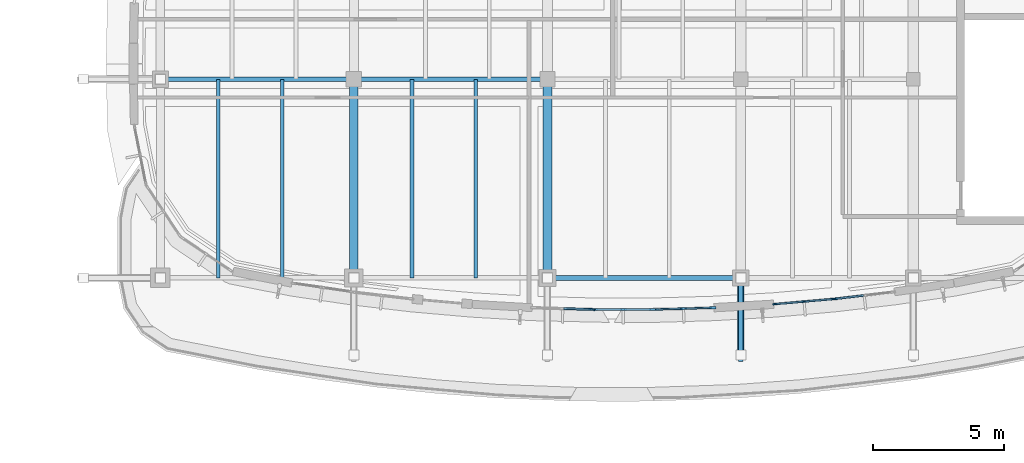
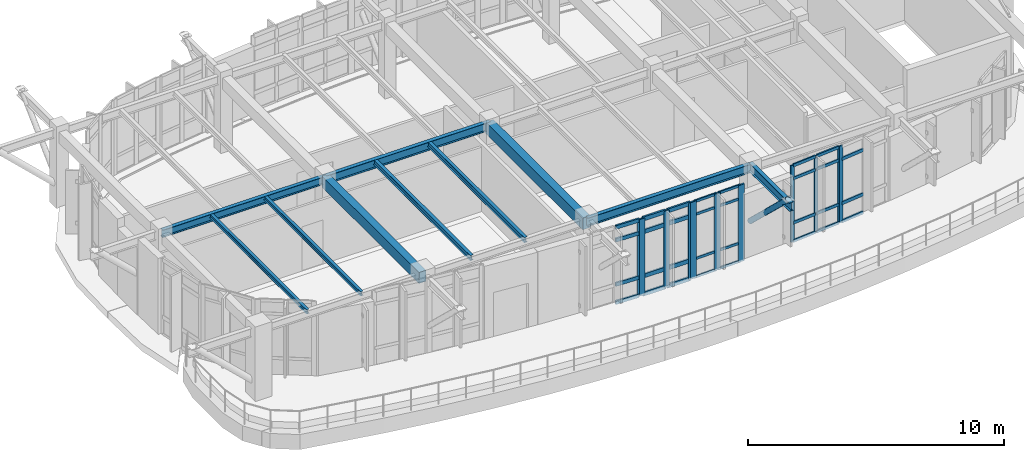
# One storey, part 23 of 105: 43 members, 10 beams, 5 elements without a shape of their own.
"""IFC4 building model written with IfcOpenShell, lengths in metres."""

from ifc_helpers import new_model, si_unit, direction, frame, origin, origin_2d, place, context, subcontext, project, spatial, rectangle, hollow_circle, i_section, extrude, material, material_profile, profile_set, type_object, element, aggregate, save


model = new_model("IFC4")

# Units and contexts
model_context = context("Model", 3, precision=1e-05, world=origin(), true_north=direction((0.0, 1.0)))
body_context = subcontext(model_context, "Body", "Model", "MODEL_VIEW")
ifc_project = project(units=[si_unit("LENGTHUNIT", "METRE"), si_unit("AREAUNIT", "SQUARE_METRE"), si_unit("VOLUMEUNIT", "CUBIC_METRE"), si_unit("PLANEANGLEUNIT", "RADIAN"), si_unit("MASSUNIT", "GRAM", prefix="KILO")], contexts=[model_context])

# Site, building, storey
site_placement = place(None, origin())
site = spatial("IfcSite", under=ifc_project, at=site_placement, CompositionType="ELEMENT")
building_placement = place(site_placement, origin())
building = spatial("IfcBuilding", under=site, at=building_placement, Name="Corveleigh Park Community Centre", CompositionType="ELEMENT")
storey_placement = place(building_placement, frame((0.0, 0.0, 8.699951171875)))
storey = spatial("IfcBuildingStorey", under=building, at=storey_placement, Name="L02", CompositionType="ELEMENT", Elevation=8.699951171875)

# Beams
ifc_material_1 = material(Name="Concrete C40/50", Category="concrete")
ifc_material_profile_1 = material_profile(ifc_material_1, rectangle(XDim=0.324951171875, YDim=0.52490234375, at=origin_2d()), Name="RC-325x525", Category="concrete")
ifc_profile_set_1 = profile_set([ifc_material_profile_1], Name="Concrete C40/50")
beam_type_1 = type_object("IfcBeamType", Name="BM-RC-325x525", PredefinedType="BEAM", material=ifc_profile_set_1)
beam_1_placement = place(storey_placement, frame((79.39990234375, 11.205078125, 3.349609375), z_axis=(0.0, 1.0, 0.0), x_axis=(-1.0, 0.0, 0.0)))
element("IfcBeam", 1, at=beam_1_placement, inside=storey, type_object=beam_type_1, Name="V3 Girder Y", PredefinedType="BEAM", context=body_context, shape_type="SweptSolid", body=[
    extrude(rectangle(XDim=0.324951171875, YDim=0.52490234375, at=origin_2d()), origin(), (0.0, 0.0, 1.0), 7.58984375),
])
ifc_material_profile_2 = material_profile(ifc_material_1, rectangle(XDim=0.35009765625, YDim=0.550048828125, at=origin_2d()), Name="RC-350x550", Category="concrete")
ifc_profile_set_2 = profile_set([ifc_material_profile_2], Name="Concrete C40/50")
beam_type_2 = type_object("IfcBeamType", Name="BM-RC-350x550", PredefinedType="BEAM", material=ifc_profile_set_2)
beam_2_placement = place(storey_placement, frame((86.800048828125, 11.205078125, 3.337158203125), z_axis=(0.0, 1.0, 0.0), x_axis=(-1.0, 0.0, 0.0)))
element("IfcBeam", 2, at=beam_2_placement, inside=storey, type_object=beam_type_2, Name="V3 Girder Y", PredefinedType="BEAM", context=body_context, shape_type="SweptSolid", body=[
    extrude(rectangle(XDim=0.35009765625, YDim=0.550048828125, at=origin_2d()), origin(), (0.0, 0.0, 1.0), 7.58984375),
])
ifc_material_2 = material(Name="Steel S355", Category="steel")
ifc_material_profile_3 = material_profile(ifc_material_2, i_section(OverallWidth=0.1337890625, OverallDepth=0.206787109375, WebThickness=0.00634765625, FlangeThickness=0.009521484375, at=origin_2d()), Name="UKB 203x133x30", Category="steel")
ifc_profile_set_3 = profile_set([ifc_material_profile_3], Name="Steel S355")
beam_type_3 = type_object("IfcBeamType", Name="BM-STL-UKB203x30", PredefinedType="JOIST", material=ifc_profile_set_3)
for number, where, z_axis, x_axis, name in (
    (3, (74.219970703125, 11.205078125, 3.508544921875), (0.0, 1.0, 0.0), (-1.0, 0.0, 0.0), "Secondary floor joist"),
    (4, (76.662109375, 11.205078125, 3.508544921875), (0.0, 1.0, 0.0), (-1.0, 0.0, 0.0), "Secondary floor joist"),
):
    element("IfcBeam", number, at=place(storey_placement, frame(where, z_axis=z_axis, x_axis=x_axis)), inside=storey, type_object=beam_type_3, Name=name, PredefinedType="JOIST", context=body_context, shape_type="SweptSolid", body=[
        extrude(i_section(OverallWidth=0.1337890625, OverallDepth=0.206787109375, WebThickness=0.00634765625, FlangeThickness=0.009521484375, at=origin_2d()), origin(), (0.0, 0.0, 1.0), 7.58984375),
    ])
ifc_material_profile_4 = material_profile(ifc_material_2, i_section(OverallWidth=0.14599609375, OverallDepth=0.25146484375, WebThickness=0.006103515625, FlangeThickness=0.008544921875, at=origin_2d()), Name="UKB 254x146x31", Category="steel")
ifc_profile_set_4 = profile_set([ifc_material_profile_4], Name="Steel S355")
beam_type_4 = type_object("IfcBeamType", Name="BM-STL-UKB254x31", PredefinedType="JOIST", material=ifc_profile_set_4)
for number, where, z_axis, x_axis, name in (
    (5, (81.6201171875, 11.205078125, 3.486328125), (0.0, 1.0, 0.0), (-1.0, 0.0, 0.0), "Secondary floor joist"),
    (6, (84.06201171875, 11.205078125, 3.486328125), (0.0, 1.0, 0.0), (-1.0, 0.0, 0.0), "Secondary floor joist"),
):
    element("IfcBeam", number, at=place(storey_placement, frame(where, z_axis=z_axis, x_axis=x_axis)), inside=storey, type_object=beam_type_4, Name=name, PredefinedType="JOIST", context=body_context, shape_type="SweptSolid", body=[
        extrude(i_section(OverallWidth=0.14599609375, OverallDepth=0.25146484375, WebThickness=0.006103515625, FlangeThickness=0.008544921875, at=origin_2d()), origin(), (0.0, 0.0, 1.0), 7.58984375),
    ])
ifc_material_profile_5 = material_profile(ifc_material_2, i_section(OverallWidth=0.173095703125, OverallDepth=0.36328125, WebThickness=0.009033203125, FlangeThickness=0.015625, at=origin_2d()), Name="UKB 356x171x67", Category="steel")
ifc_profile_set_5 = profile_set([ifc_material_profile_5], Name="Steel S355")
beam_type_5 = type_object("IfcBeamType", Name="BM-STL-UKB356x67", PredefinedType="BEAM", material=ifc_profile_set_5)
beam_3_placement = place(storey_placement, frame((72.0048828125, 18.800048828125, 3.430419921875), z_axis=(1.0, 0.0, 0.0), x_axis=(0.0, 1.0, 0.0)))
element("IfcBeam", 7, at=beam_3_placement, inside=storey, type_object=beam_type_5, Name="V3 Girder X", PredefinedType="BEAM", context=body_context, shape_type="SweptSolid", body=[
    extrude(i_section(OverallWidth=0.173095703125, OverallDepth=0.36328125, WebThickness=0.009033203125, FlangeThickness=0.015625, at=origin_2d()), origin(), (0.0, 0.0, 1.0), 7.39013671875),
])
ifc_material_profile_6 = material_profile(ifc_material_2, i_section(OverallWidth=0.177978515625, OverallDepth=0.406494140625, WebThickness=0.0078125, FlangeThickness=0.0126953125, at=origin_2d()), Name="UKB 406x178x60", Category="steel")
ifc_profile_set_6 = profile_set([ifc_material_profile_6], Name="Steel S355")
beam_type_6 = type_object("IfcBeamType", Name="BM-STL-UKB406x60", PredefinedType="BEAM", material=ifc_profile_set_6)
beam_4_placement = place(storey_placement, frame((86.804931640625, 11.199951171875, 3.408935546875), z_axis=(1.0, 0.0, 0.0), x_axis=(0.0, 1.0, 0.0)))
element("IfcBeam", 8, at=beam_4_placement, inside=storey, type_object=beam_type_6, Name="V3 Girder X", PredefinedType="BEAM", context=body_context, shape_type="SweptSolid", body=[
    extrude(i_section(OverallWidth=0.177978515625, OverallDepth=0.406494140625, WebThickness=0.0078125, FlangeThickness=0.0126953125, at=origin_2d()), origin(), (0.0, 0.0, 1.0), 7.39013671875),
])
beam_5_placement = place(storey_placement, frame((79.405029296875, 18.800048828125, 3.408935546875), z_axis=(1.0, 0.0, 0.0), x_axis=(0.0, 1.0, 0.0)))
element("IfcBeam", 9, at=beam_5_placement, inside=storey, type_object=beam_type_6, Name="V3 Girder X", PredefinedType="BEAM", context=body_context, shape_type="SweptSolid", body=[
    extrude(i_section(OverallWidth=0.177978515625, OverallDepth=0.406494140625, WebThickness=0.0078125, FlangeThickness=0.0126953125, at=origin_2d()), origin(), (0.0, 0.0, 1.0), 7.389892578125),
])
ifc_material_profile_7 = material_profile(ifc_material_2, i_section(OverallWidth=0.1787109375, OverallDepth=0.409423828125, WebThickness=0.0087890625, FlangeThickness=0.014404296875, at=origin_2d()), Name="UKB 406x178x67", Category="steel")
ifc_profile_set_7 = profile_set([ifc_material_profile_7], Name="Steel S355")
beam_type_7 = type_object("IfcBeamType", Name="BM-STL-UKB406x67", PredefinedType="BEAM", material=ifc_profile_set_7)
beam_6_placement = place(storey_placement, frame((94.199951171875, 11.18994140625, 3.459228515625), z_axis=(0.0, -1.0, 0.0), x_axis=(1.0, 0.0, 0.0)))
element("IfcBeam", 10, at=beam_6_placement, inside=storey, type_object=beam_type_7, Name="V3 Pebble Overhang Strut 4-0 Outrigger", PredefinedType="BEAM", context=body_context, shape_type="SweptSolid", body=[
    extrude(i_section(OverallWidth=0.1787109375, OverallDepth=0.409423828125, WebThickness=0.0087890625, FlangeThickness=0.014404296875, at=origin_2d()), origin(), (0.0, 0.0, 1.0), 3.18994140625),
])

# Curtain wall, members
ifc_material_3 = material(Name="Anodised aluminium 6063-T6", Category="aluminium")
curtain_wall_type = type_object("IfcCurtainWallType", Name="CW-SYS-V3-UPP", PredefinedType="NOTDEFINED", material=ifc_material_3)
curtain_wall_1_placement = place(storey_placement, origin())
curtain_wall_1 = element("IfcCurtainWall", 11, at=curtain_wall_1_placement, inside=storey, type_object=curtain_wall_type, Name="V3 L02 Curtain Wall 337", PredefinedType="NOTDEFINED")
ifc_material_profile_8 = material_profile(ifc_material_3, rectangle(XDim=0.06005859375, YDim=0.159912109375, at=origin_2d()), Name="ALU-M60x160", Category="aluminium")
ifc_profile_set_8 = profile_set([ifc_material_profile_8], Name="Anodised aluminium 6063-T6")
member_type_1 = type_object("IfcMemberType", Name="CWM-60x160", PredefinedType="MULLION", material=ifc_profile_set_8)
member_1_placement = place(storey_placement, frame((97.733154296875, 10.392333984375, 0.0), z_axis=(0.0, 0.0, 1.0), x_axis=(0.0872318769, -0.996188034285, 0.0)))
member_1 = element("IfcMember", 12, at=member_1_placement, type_object=member_type_1, Name="CW06 mullion 1", PredefinedType="MULLION", context=body_context, shape_type="SweptSolid", body=[
    extrude(rectangle(XDim=0.06005859375, YDim=0.159912109375, at=origin_2d()), origin(), (0.0, 0.0, 1.0), 3.6640625),
])
member_2_placement = place(storey_placement, frame((96.62109375, 10.294921875, 0.0), z_axis=(0.0, 0.0, 1.0), x_axis=(0.0872318769, -0.996188034285, 0.0)))
member_2 = element("IfcMember", 13, at=member_2_placement, type_object=member_type_1, Name="CW06 mullion 2", PredefinedType="MULLION", context=body_context, shape_type="SweptSolid", body=[
    extrude(rectangle(XDim=0.06005859375, YDim=0.159912109375, at=origin_2d()), origin(), (0.0, 0.0, 1.0), 3.6640625),
])
member_3_placement = place(storey_placement, frame((95.5087890625, 10.197509765625, 0.0), z_axis=(0.0, 0.0, 1.0), x_axis=(0.0872318769, -0.996188034285, 0.0)))
member_3 = element("IfcMember", 14, at=member_3_placement, type_object=member_type_1, Name="CW06 mullion 3", PredefinedType="MULLION", context=body_context, shape_type="SweptSolid", body=[
    extrude(rectangle(XDim=0.06005859375, YDim=0.159912109375, at=origin_2d()), origin(), (0.0, 0.0, 1.0), 3.6640625),
])

# Curtain wall, member
curtain_wall_2_placement = place(storey_placement, origin())
curtain_wall_2 = element("IfcCurtainWall", 15, at=curtain_wall_2_placement, inside=storey, type_object=curtain_wall_type, Name="V3 L02 Curtain Wall 338", PredefinedType="NOTDEFINED")
ifc_material_profile_9 = material_profile(ifc_material_3, rectangle(XDim=0.06494140625, YDim=0.179931640625, at=origin_2d()), Name="ALU-M65x180", Category="aluminium")
ifc_profile_set_9 = profile_set([ifc_material_profile_9], Name="Anodised aluminium 6063-T6")
member_type_2 = type_object("IfcMemberType", Name="CWM-65x180", PredefinedType="MULLION", material=ifc_profile_set_9)
member_4_placement = place(storey_placement, frame((97.813232421875, 10.40087890625, 0.0), z_axis=(0.0, 0.0, 1.0), x_axis=(0.116512098316, -0.993189272468, 0.0)))
member_4 = element("IfcMember", 16, at=member_4_placement, type_object=member_type_2, Name="CW06 mullion 3", PredefinedType="MULLION", context=body_context, shape_type="SweptSolid", body=[
    extrude(rectangle(XDim=0.06494140625, YDim=0.179931640625, at=origin_2d()), origin(), (0.0, 0.0, 1.0), 3.6640625),
])

curtain_wall_3_placement = place(storey_placement, origin())
curtain_wall_3 = element("IfcCurtainWall", 17, at=curtain_wall_3_placement, inside=storey, type_object=curtain_wall_type, Name="V3 L02 Curtain Wall 334", PredefinedType="NOTDEFINED")
ifc_material_profile_10 = material_profile(ifc_material_3, rectangle(XDim=0.074951171875, YDim=0.219970703125, at=origin_2d()), Name="ALU-M75x220", Category="aluminium")
ifc_profile_set_10 = profile_set([ifc_material_profile_10], Name="Anodised aluminium 6063-T6")
member_type_3 = type_object("IfcMemberType", Name="CWM-75x220", PredefinedType="MULLION", material=ifc_profile_set_10)
member_5_placement = place(storey_placement, frame((88.49853515625, 9.994140625, 0.0), z_axis=(0.0, 0.0, 1.0), x_axis=(-0.029232373224, -0.999572642861, 0.0)))
member_5 = element("IfcMember", 18, at=member_5_placement, type_object=member_type_3, Name="CW06 mullion 1", PredefinedType="MULLION", context=body_context, shape_type="SweptSolid", body=[
    extrude(rectangle(XDim=0.074951171875, YDim=0.219970703125, at=origin_2d()), origin(), (0.0, 0.0, 1.0), 3.6640625),
])

# Curtain wall, members
curtain_wall_4_placement = place(storey_placement, origin())
curtain_wall_4 = element("IfcCurtainWall", 19, at=curtain_wall_4_placement, inside=storey, type_object=curtain_wall_type, Name="V3 L02 Curtain Wall 335", PredefinedType="NOTDEFINED")
ifc_material_profile_11 = material_profile(ifc_material_3, rectangle(XDim=0.080078125, YDim=0.25, at=origin_2d()), Name="ALU-M80x250", Category="aluminium")
ifc_profile_set_11 = profile_set([ifc_material_profile_11], Name="Anodised aluminium 6063-T6")
member_type_4 = type_object("IfcMemberType", Name="CWM-80x250", PredefinedType="MULLION", material=ifc_profile_set_11)
member_6_placement = place(storey_placement, frame((90.805908203125, 9.992919921875, 0.0), z_axis=(0.0, 0.0, 1.0), x_axis=(0.0, -1.0, 0.0)))
member_6 = element("IfcMember", 20, at=member_6_placement, type_object=member_type_4, Name="CW06 mullion 1", PredefinedType="MULLION", context=body_context, shape_type="SweptSolid", body=[
    extrude(rectangle(XDim=0.080078125, YDim=0.25, at=origin_2d()), origin(), (0.0, 0.0, 1.0), 3.6640625),
])
member_7_placement = place(storey_placement, frame((89.699951171875, 9.992919921875, 0.0), z_axis=(0.0, 0.0, 1.0), x_axis=(0.0, -1.0, 0.0)))
member_7 = element("IfcMember", 21, at=member_7_placement, type_object=member_type_4, Name="CW06 mullion 2", PredefinedType="MULLION", context=body_context, shape_type="SweptSolid", body=[
    extrude(rectangle(XDim=0.080078125, YDim=0.25, at=origin_2d()), origin(), (0.0, 0.0, 1.0), 3.6640625),
])
member_8_placement = place(storey_placement, frame((88.593994140625, 9.992919921875, 0.0), z_axis=(0.0, 0.0, 1.0), x_axis=(0.0, -1.0, 0.0)))
member_8 = element("IfcMember", 22, at=member_8_placement, type_object=member_type_4, Name="CW06 mullion 3", PredefinedType="MULLION", context=body_context, shape_type="SweptSolid", body=[
    extrude(rectangle(XDim=0.080078125, YDim=0.25, at=origin_2d()), origin(), (0.0, 0.0, 1.0), 3.6640625),
])

curtain_wall_5_placement = place(storey_placement, origin())
curtain_wall_5 = element("IfcCurtainWall", 23, at=curtain_wall_5_placement, inside=storey, type_object=curtain_wall_type, Name="V3 L02 Curtain Wall 336", PredefinedType="NOTDEFINED")
ifc_material_profile_12 = material_profile(ifc_material_3, rectangle(XDim=0.0849609375, YDim=0.27490234375, at=origin_2d()), Name="ALU-M85x275", Category="aluminium")
ifc_profile_set_12 = profile_set([ifc_material_profile_12], Name="Anodised aluminium 6063-T6")
member_type_5 = type_object("IfcMemberType", Name="CWM-85x275", PredefinedType="MULLION", material=ifc_profile_set_12)
member_9_placement = place(storey_placement, frame((93.112548828125, 10.058837890625, 0.0), z_axis=(0.0, 0.0, 1.0), x_axis=(0.029232373224, -0.999572642861, 0.0)))
member_9 = element("IfcMember", 24, at=member_9_placement, type_object=member_type_5, Name="CW06 mullion 1", PredefinedType="MULLION", context=body_context, shape_type="SweptSolid", body=[
    extrude(rectangle(XDim=0.0849609375, YDim=0.27490234375, at=origin_2d()), origin(), (0.0, 0.0, 1.0), 3.6640625),
])
member_10_placement = place(storey_placement, frame((92.009521484375, 10.026611328125, 0.0), z_axis=(0.0, 0.0, 1.0), x_axis=(0.029232373224, -0.999572642861, 0.0)))
member_10 = element("IfcMember", 25, at=member_10_placement, type_object=member_type_5, Name="CW06 mullion 2", PredefinedType="MULLION", context=body_context, shape_type="SweptSolid", body=[
    extrude(rectangle(XDim=0.0849609375, YDim=0.27490234375, at=origin_2d()), origin(), (0.0, 0.0, 1.0), 3.6640625),
])
member_11_placement = place(storey_placement, frame((90.906494140625, 9.994140625, 0.0), z_axis=(0.0, 0.0, 1.0), x_axis=(0.029232373224, -0.999572642861, 0.0)))
member_11 = element("IfcMember", 26, at=member_11_placement, type_object=member_type_5, Name="CW06 mullion 3", PredefinedType="MULLION", context=body_context, shape_type="SweptSolid", body=[
    extrude(rectangle(XDim=0.0849609375, YDim=0.27490234375, at=origin_2d()), origin(), (0.0, 0.0, 1.0), 3.6640625),
])
ifc_material_profile_13 = material_profile(ifc_material_3, rectangle(XDim=0.06005859375, YDim=0.1201171875, at=origin_2d()), Name="ALU-T60x120", Category="aluminium")
ifc_profile_set_13 = profile_set([ifc_material_profile_13], Name="Anodised aluminium 6063-T6")
member_type_6 = type_object("IfcMemberType", Name="CWT-60x120", PredefinedType="USERDEFINED", material=ifc_profile_set_13)
member_12_placement = place(storey_placement, frame((93.070068359375, 10.0576171875, 0.030029296875), z_axis=(-0.99957230038, -0.02924408169, 0.0), x_axis=(0.02924408169, -0.99957230038, 0.0)))
member_12 = element("IfcMember", 27, at=member_12_placement, type_object=member_type_6, Name="CW06 transom 1.1", ObjectType="TRANSOM", PredefinedType="USERDEFINED", context=body_context, shape_type="SweptSolid", body=[
    extrude(rectangle(XDim=0.06005859375, YDim=0.1201171875, at=origin_2d()), origin(), (0.0, 0.0, 1.0), 1.0185546875),
])
member_13_placement = place(storey_placement, frame((93.070068359375, 10.0576171875, 0.900146484375), z_axis=(-0.99957230038, -0.02924408169, 0.0), x_axis=(0.02924408169, -0.99957230038, 0.0)))
member_13 = element("IfcMember", 28, at=member_13_placement, type_object=member_type_6, Name="CW06 transom 1.2", ObjectType="TRANSOM", PredefinedType="USERDEFINED", context=body_context, shape_type="SweptSolid", body=[
    extrude(rectangle(XDim=0.06005859375, YDim=0.1201171875, at=origin_2d()), origin(), (0.0, 0.0, 1.0), 1.0185546875),
])
member_14_placement = place(storey_placement, frame((93.070068359375, 10.0576171875, 3.01416015625), z_axis=(-0.99957230038, -0.02924408169, 0.0), x_axis=(0.02924408169, -0.99957230038, 0.0)))
member_14 = element("IfcMember", 29, at=member_14_placement, type_object=member_type_6, Name="CW06 transom 1.3", ObjectType="TRANSOM", PredefinedType="USERDEFINED", context=body_context, shape_type="SweptSolid", body=[
    extrude(rectangle(XDim=0.06005859375, YDim=0.1201171875, at=origin_2d()), origin(), (0.0, 0.0, 1.0), 1.0185546875),
])
member_15_placement = place(storey_placement, frame((93.070068359375, 10.0576171875, 3.634033203125), z_axis=(-0.99957230038, -0.02924408169, 0.0), x_axis=(0.02924408169, -0.99957230038, 0.0)))
member_15 = element("IfcMember", 30, at=member_15_placement, type_object=member_type_6, Name="CW06 transom 1.4", ObjectType="TRANSOM", PredefinedType="USERDEFINED", context=body_context, shape_type="SweptSolid", body=[
    extrude(rectangle(XDim=0.06005859375, YDim=0.1201171875, at=origin_2d()), origin(), (0.0, 0.0, 1.0), 1.0185546875),
])
member_16_placement = place(storey_placement, frame((91.967041015625, 10.025146484375, 0.030029296875), z_axis=(-0.999579278707, -0.029004578591, 0.0), x_axis=(0.029004578591, -0.999579278707, 0.0)))
member_16 = element("IfcMember", 31, at=member_16_placement, type_object=member_type_6, Name="CW06 transom 2.1", ObjectType="TRANSOM", PredefinedType="USERDEFINED", context=body_context, shape_type="SweptSolid", body=[
    extrude(rectangle(XDim=0.06005859375, YDim=0.1201171875, at=origin_2d()), origin(), (0.0, 0.0, 1.0), 1.0185546875),
])
member_17_placement = place(storey_placement, frame((91.967041015625, 10.025146484375, 0.900146484375), z_axis=(-0.999579278707, -0.029004578591, 0.0), x_axis=(0.029004578591, -0.999579278707, 0.0)))
member_17 = element("IfcMember", 32, at=member_17_placement, type_object=member_type_6, Name="CW06 transom 2.2", ObjectType="TRANSOM", PredefinedType="USERDEFINED", context=body_context, shape_type="SweptSolid", body=[
    extrude(rectangle(XDim=0.06005859375, YDim=0.1201171875, at=origin_2d()), origin(), (0.0, 0.0, 1.0), 1.0185546875),
])
member_18_placement = place(storey_placement, frame((91.967041015625, 10.025146484375, 3.01416015625), z_axis=(-0.999579278707, -0.029004578591, 0.0), x_axis=(0.029004578591, -0.999579278707, 0.0)))
member_18 = element("IfcMember", 33, at=member_18_placement, type_object=member_type_6, Name="CW06 transom 2.3", ObjectType="TRANSOM", PredefinedType="USERDEFINED", context=body_context, shape_type="SweptSolid", body=[
    extrude(rectangle(XDim=0.06005859375, YDim=0.1201171875, at=origin_2d()), origin(), (0.0, 0.0, 1.0), 1.0185546875),
])
member_19_placement = place(storey_placement, frame((91.967041015625, 10.025146484375, 3.634033203125), z_axis=(-0.999579278707, -0.029004578591, 0.0), x_axis=(0.029004578591, -0.999579278707, 0.0)))
member_19 = element("IfcMember", 34, at=member_19_placement, type_object=member_type_6, Name="CW06 transom 2.4", ObjectType="TRANSOM", PredefinedType="USERDEFINED", context=body_context, shape_type="SweptSolid", body=[
    extrude(rectangle(XDim=0.06005859375, YDim=0.1201171875, at=origin_2d()), origin(), (0.0, 0.0, 1.0), 1.0185546875),
])
aggregate(curtain_wall_5, [member_9, member_10, member_11, member_12, member_13, member_14, member_15, member_16, member_17, member_18, member_19])

# Member
ifc_material_profile_14 = material_profile(ifc_material_3, rectangle(XDim=0.06494140625, YDim=0.139892578125, at=origin_2d()), Name="ALU-T65x140", Category="aluminium")
ifc_profile_set_14 = profile_set([ifc_material_profile_14], Name="Anodised aluminium 6063-T6")
member_type_7 = type_object("IfcMemberType", Name="CWT-65x140", PredefinedType="USERDEFINED", material=ifc_profile_set_14)
member_20_placement = place(storey_placement, frame((97.703125, 10.3896484375, 0.032470703125), z_axis=(-0.996196225925, -0.087138277767, 0.0), x_axis=(0.087138277767, -0.996196225925, 0.0)))
member_20 = element("IfcMember", 35, at=member_20_placement, type_object=member_type_7, Name="CW06 transom 1.1", ObjectType="TRANSOM", PredefinedType="USERDEFINED", context=body_context, shape_type="SweptSolid", body=[
    extrude(rectangle(XDim=0.06494140625, YDim=0.139892578125, at=origin_2d()), origin(), (0.0, 0.0, 1.0), 1.05615234375),
])

member_21_placement = place(storey_placement, frame((97.703125, 10.3896484375, 0.900146484375), z_axis=(-0.996196225925, -0.087138277767, 0.0), x_axis=(0.087138277767, -0.996196225925, 0.0)))
member_21 = element("IfcMember", 36, at=member_21_placement, type_object=member_type_7, Name="CW06 transom 1.2", ObjectType="TRANSOM", PredefinedType="USERDEFINED", context=body_context, shape_type="SweptSolid", body=[
    extrude(rectangle(XDim=0.06494140625, YDim=0.139892578125, at=origin_2d()), origin(), (0.0, 0.0, 1.0), 1.05615234375),
])

member_22_placement = place(storey_placement, frame((97.703125, 10.3896484375, 3.01416015625), z_axis=(-0.996196225925, -0.087138277767, 0.0), x_axis=(0.087138277767, -0.996196225925, 0.0)))
member_22 = element("IfcMember", 37, at=member_22_placement, type_object=member_type_7, Name="CW06 transom 1.3", ObjectType="TRANSOM", PredefinedType="USERDEFINED", context=body_context, shape_type="SweptSolid", body=[
    extrude(rectangle(XDim=0.06494140625, YDim=0.139892578125, at=origin_2d()), origin(), (0.0, 0.0, 1.0), 1.05615234375),
])

member_23_placement = place(storey_placement, frame((97.703125, 10.3896484375, 3.631591796875), z_axis=(-0.996196225925, -0.087138277767, 0.0), x_axis=(0.087138277767, -0.996196225925, 0.0)))
member_23 = element("IfcMember", 38, at=member_23_placement, type_object=member_type_7, Name="CW06 transom 1.4", ObjectType="TRANSOM", PredefinedType="USERDEFINED", context=body_context, shape_type="SweptSolid", body=[
    extrude(rectangle(XDim=0.06494140625, YDim=0.139892578125, at=origin_2d()), origin(), (0.0, 0.0, 1.0), 1.05615234375),
])

member_24_placement = place(storey_placement, frame((96.591064453125, 10.29248046875, 0.032470703125), z_axis=(-0.996176135739, -0.087367651812, 0.0), x_axis=(0.087367651812, -0.996176135739, 0.0)))
member_24 = element("IfcMember", 39, at=member_24_placement, type_object=member_type_7, Name="CW06 transom 2.1", ObjectType="TRANSOM", PredefinedType="USERDEFINED", context=body_context, shape_type="SweptSolid", body=[
    extrude(rectangle(XDim=0.06494140625, YDim=0.139892578125, at=origin_2d()), origin(), (0.0, 0.0, 1.0), 1.056396484375),
])

member_25_placement = place(storey_placement, frame((96.591064453125, 10.29248046875, 0.900146484375), z_axis=(-0.996176135739, -0.087367651812, 0.0), x_axis=(0.087367651812, -0.996176135739, 0.0)))
member_25 = element("IfcMember", 40, at=member_25_placement, type_object=member_type_7, Name="CW06 transom 2.2", ObjectType="TRANSOM", PredefinedType="USERDEFINED", context=body_context, shape_type="SweptSolid", body=[
    extrude(rectangle(XDim=0.06494140625, YDim=0.139892578125, at=origin_2d()), origin(), (0.0, 0.0, 1.0), 1.056396484375),
])

member_26_placement = place(storey_placement, frame((96.591064453125, 10.29248046875, 3.01416015625), z_axis=(-0.996176135739, -0.087367651812, 0.0), x_axis=(0.087367651812, -0.996176135739, 0.0)))
member_26 = element("IfcMember", 41, at=member_26_placement, type_object=member_type_7, Name="CW06 transom 2.3", ObjectType="TRANSOM", PredefinedType="USERDEFINED", context=body_context, shape_type="SweptSolid", body=[
    extrude(rectangle(XDim=0.06494140625, YDim=0.139892578125, at=origin_2d()), origin(), (0.0, 0.0, 1.0), 1.056396484375),
])

member_27_placement = place(storey_placement, frame((96.591064453125, 10.29248046875, 3.631591796875), z_axis=(-0.996176135739, -0.087367651812, 0.0), x_axis=(0.087367651812, -0.996176135739, 0.0)))
member_27 = element("IfcMember", 42, at=member_27_placement, type_object=member_type_7, Name="CW06 transom 2.4", ObjectType="TRANSOM", PredefinedType="USERDEFINED", context=body_context, shape_type="SweptSolid", body=[
    extrude(rectangle(XDim=0.06494140625, YDim=0.139892578125, at=origin_2d()), origin(), (0.0, 0.0, 1.0), 1.056396484375),
])

aggregate(curtain_wall_1, [member_1, member_2, member_3, member_20, member_21, member_22, member_23, member_24, member_25, member_26, member_27])

ifc_material_profile_15 = material_profile(ifc_material_3, rectangle(XDim=0.070068359375, YDim=0.155029296875, at=origin_2d()), Name="ALU-T70x155", Category="aluminium")
ifc_profile_set_15 = profile_set([ifc_material_profile_15], Name="Anodised aluminium 6063-T6")
member_type_8 = type_object("IfcMemberType", Name="CWT-70x155", PredefinedType="USERDEFINED", material=ifc_profile_set_15)
member_28_placement = place(storey_placement, frame((98.88671875, 10.526611328125, 0.03515625), z_axis=(-0.993198208663, -0.11643589785, 0.0), x_axis=(0.11643589785, -0.993198208663, 0.0)))
member_28 = element("IfcMember", 43, at=member_28_placement, type_object=member_type_8, Name="CW06 transom 2.1", ObjectType="TRANSOM", PredefinedType="USERDEFINED", context=body_context, shape_type="SweptSolid", body=[
    extrude(rectangle(XDim=0.070068359375, YDim=0.155029296875, at=origin_2d()), origin(), (0.0, 0.0, 1.0), 1.04833984375),
])

member_29_placement = place(storey_placement, frame((98.88671875, 10.526611328125, 0.900146484375), z_axis=(-0.993198208663, -0.11643589785, 0.0), x_axis=(0.11643589785, -0.993198208663, 0.0)))
member_29 = element("IfcMember", 44, at=member_29_placement, type_object=member_type_8, Name="CW06 transom 2.2", ObjectType="TRANSOM", PredefinedType="USERDEFINED", context=body_context, shape_type="SweptSolid", body=[
    extrude(rectangle(XDim=0.070068359375, YDim=0.155029296875, at=origin_2d()), origin(), (0.0, 0.0, 1.0), 1.04833984375),
])

member_30_placement = place(storey_placement, frame((98.88671875, 10.526611328125, 3.01416015625), z_axis=(-0.993198208663, -0.11643589785, 0.0), x_axis=(0.11643589785, -0.993198208663, 0.0)))
member_30 = element("IfcMember", 45, at=member_30_placement, type_object=member_type_8, Name="CW06 transom 2.3", ObjectType="TRANSOM", PredefinedType="USERDEFINED", context=body_context, shape_type="SweptSolid", body=[
    extrude(rectangle(XDim=0.070068359375, YDim=0.155029296875, at=origin_2d()), origin(), (0.0, 0.0, 1.0), 1.04833984375),
])

aggregate(curtain_wall_2, [member_4, member_28, member_29, member_30])

ifc_material_profile_16 = material_profile(ifc_material_3, rectangle(XDim=0.074951171875, YDim=0.175048828125, at=origin_2d()), Name="ALU-T75x175", Category="aluminium")
ifc_profile_set_16 = profile_set([ifc_material_profile_16], Name="Anodised aluminium 6063-T6")
member_type_9 = type_object("IfcMemberType", Name="CWT-75x175", PredefinedType="USERDEFINED", material=ifc_profile_set_16)
member_31_placement = place(storey_placement, frame((88.4609375, 9.9951171875, 0.03759765625), z_axis=(-0.999570811909, 0.029294913892, 0.0), x_axis=(-0.029294913892, -0.999570811909, 0.0)))
member_31 = element("IfcMember", 46, at=member_31_placement, type_object=member_type_9, Name="CW06 transom 1.1", ObjectType="TRANSOM", PredefinedType="USERDEFINED", context=body_context, shape_type="SweptSolid", body=[
    extrude(rectangle(XDim=0.074951171875, YDim=0.175048828125, at=origin_2d()), origin(), (0.0, 0.0, 1.0), 1.033447265625),
])

member_32_placement = place(storey_placement, frame((88.4609375, 9.9951171875, 0.900146484375), z_axis=(-0.999570811909, 0.029294913892, 0.0), x_axis=(-0.029294913892, -0.999570811909, 0.0)))
member_32 = element("IfcMember", 47, at=member_32_placement, type_object=member_type_9, Name="CW06 transom 1.2", ObjectType="TRANSOM", PredefinedType="USERDEFINED", context=body_context, shape_type="SweptSolid", body=[
    extrude(rectangle(XDim=0.074951171875, YDim=0.175048828125, at=origin_2d()), origin(), (0.0, 0.0, 1.0), 1.033447265625),
])

member_33_placement = place(storey_placement, frame((88.4609375, 9.9951171875, 3.01416015625), z_axis=(-0.999570811909, 0.029294913892, 0.0), x_axis=(-0.029294913892, -0.999570811909, 0.0)))
member_33 = element("IfcMember", 48, at=member_33_placement, type_object=member_type_9, Name="CW06 transom 1.3", ObjectType="TRANSOM", PredefinedType="USERDEFINED", context=body_context, shape_type="SweptSolid", body=[
    extrude(rectangle(XDim=0.074951171875, YDim=0.175048828125, at=origin_2d()), origin(), (0.0, 0.0, 1.0), 1.033447265625),
])

member_34_placement = place(storey_placement, frame((88.4609375, 9.9951171875, 3.62646484375), z_axis=(-0.999570811909, 0.029294913892, 0.0), x_axis=(-0.029294913892, -0.999570811909, 0.0)))
member_34 = element("IfcMember", 49, at=member_34_placement, type_object=member_type_9, Name="CW06 transom 1.4", ObjectType="TRANSOM", PredefinedType="USERDEFINED", context=body_context, shape_type="SweptSolid", body=[
    extrude(rectangle(XDim=0.074951171875, YDim=0.175048828125, at=origin_2d()), origin(), (0.0, 0.0, 1.0), 1.033447265625),
])

aggregate(curtain_wall_3, [member_5, member_31, member_32, member_33, member_34])

ifc_material_profile_17 = material_profile(ifc_material_3, rectangle(XDim=0.080078125, YDim=0.195068359375, at=origin_2d()), Name="ALU-T80x195", Category="aluminium")
ifc_profile_set_17 = profile_set([ifc_material_profile_17], Name="Anodised aluminium 6063-T6")
member_type_10 = type_object("IfcMemberType", Name="CWT-80x195", PredefinedType="USERDEFINED", material=ifc_profile_set_17)
member_35_placement = place(storey_placement, frame((90.76611328125, 9.992919921875, 0.0400390625), z_axis=(-1.0, 0.0, 0.0), x_axis=(0.0, -1.0, 0.0)))
member_35 = element("IfcMember", 50, at=member_35_placement, type_object=member_type_10, Name="CW06 transom 1.1", ObjectType="TRANSOM", PredefinedType="USERDEFINED", context=body_context, shape_type="SweptSolid", body=[
    extrude(rectangle(XDim=0.080078125, YDim=0.195068359375, at=origin_2d()), origin(), (0.0, 0.0, 1.0), 1.026123046875),
])

member_36_placement = place(storey_placement, frame((90.76611328125, 9.992919921875, 0.900146484375), z_axis=(-1.0, 0.0, 0.0), x_axis=(0.0, -1.0, 0.0)))
member_36 = element("IfcMember", 51, at=member_36_placement, type_object=member_type_10, Name="CW06 transom 1.2", ObjectType="TRANSOM", PredefinedType="USERDEFINED", context=body_context, shape_type="SweptSolid", body=[
    extrude(rectangle(XDim=0.080078125, YDim=0.195068359375, at=origin_2d()), origin(), (0.0, 0.0, 1.0), 1.026123046875),
])

member_37_placement = place(storey_placement, frame((90.76611328125, 9.992919921875, 3.01416015625), z_axis=(-1.0, 0.0, 0.0), x_axis=(0.0, -1.0, 0.0)))
member_37 = element("IfcMember", 52, at=member_37_placement, type_object=member_type_10, Name="CW06 transom 1.3", ObjectType="TRANSOM", PredefinedType="USERDEFINED", context=body_context, shape_type="SweptSolid", body=[
    extrude(rectangle(XDim=0.080078125, YDim=0.195068359375, at=origin_2d()), origin(), (0.0, 0.0, 1.0), 1.026123046875),
])

member_38_placement = place(storey_placement, frame((90.76611328125, 9.992919921875, 3.6240234375), z_axis=(-1.0, 0.0, 0.0), x_axis=(0.0, -1.0, 0.0)))
member_38 = element("IfcMember", 53, at=member_38_placement, type_object=member_type_10, Name="CW06 transom 1.4", ObjectType="TRANSOM", PredefinedType="USERDEFINED", context=body_context, shape_type="SweptSolid", body=[
    extrude(rectangle(XDim=0.080078125, YDim=0.195068359375, at=origin_2d()), origin(), (0.0, 0.0, 1.0), 1.026123046875),
])

member_39_placement = place(storey_placement, frame((89.659912109375, 9.992919921875, 0.0400390625), z_axis=(-1.0, 0.0, 0.0), x_axis=(0.0, -1.0, 0.0)))
member_39 = element("IfcMember", 54, at=member_39_placement, type_object=member_type_10, Name="CW06 transom 2.1", ObjectType="TRANSOM", PredefinedType="USERDEFINED", context=body_context, shape_type="SweptSolid", body=[
    extrude(rectangle(XDim=0.080078125, YDim=0.195068359375, at=origin_2d()), origin(), (0.0, 0.0, 1.0), 1.02587890625),
])

member_40_placement = place(storey_placement, frame((89.659912109375, 9.992919921875, 0.900146484375), z_axis=(-1.0, 0.0, 0.0), x_axis=(0.0, -1.0, 0.0)))
member_40 = element("IfcMember", 55, at=member_40_placement, type_object=member_type_10, Name="CW06 transom 2.2", ObjectType="TRANSOM", PredefinedType="USERDEFINED", context=body_context, shape_type="SweptSolid", body=[
    extrude(rectangle(XDim=0.080078125, YDim=0.195068359375, at=origin_2d()), origin(), (0.0, 0.0, 1.0), 1.02587890625),
])

member_41_placement = place(storey_placement, frame((89.659912109375, 9.992919921875, 3.01416015625), z_axis=(-1.0, 0.0, 0.0), x_axis=(0.0, -1.0, 0.0)))
member_41 = element("IfcMember", 56, at=member_41_placement, type_object=member_type_10, Name="CW06 transom 2.3", ObjectType="TRANSOM", PredefinedType="USERDEFINED", context=body_context, shape_type="SweptSolid", body=[
    extrude(rectangle(XDim=0.080078125, YDim=0.195068359375, at=origin_2d()), origin(), (0.0, 0.0, 1.0), 1.02587890625),
])

member_42_placement = place(storey_placement, frame((89.659912109375, 9.992919921875, 3.6240234375), z_axis=(-1.0, 0.0, 0.0), x_axis=(0.0, -1.0, 0.0)))
member_42 = element("IfcMember", 57, at=member_42_placement, type_object=member_type_10, Name="CW06 transom 2.4", ObjectType="TRANSOM", PredefinedType="USERDEFINED", context=body_context, shape_type="SweptSolid", body=[
    extrude(rectangle(XDim=0.080078125, YDim=0.195068359375, at=origin_2d()), origin(), (0.0, 0.0, 1.0), 1.02587890625),
])

aggregate(curtain_wall_4, [member_6, member_7, member_8, member_35, member_36, member_37, member_38, member_39, member_40, member_41, member_42])

ifc_material_profile_18 = material_profile(ifc_material_2, hollow_circle(Radius=0.122314453125, WallThickness=0.012451171875, at=origin_2d()), Name="CHS 244.5x12.5", Category="steel")
ifc_profile_set_18 = profile_set([ifc_material_profile_18], Name="Steel S355")
member_type_11 = type_object("IfcMemberType", Name="MEM-STR-CHS245", PredefinedType="STRUT", material=ifc_profile_set_18)
member_43_placement = place(storey_placement, frame((94.199951171875, 11.199951171875, 0.85009765625), z_axis=(0.0, -0.723742424905, 0.690070215553), x_axis=(1.0, 0.0, 0.0)))
element("IfcMember", 58, at=member_43_placement, inside=storey, type_object=member_type_11, Name="V3 Pebble Overhang Strut 4-0", PredefinedType="STRUT", context=body_context, shape_type="SweptSolid", body=[
    extrude(hollow_circle(Radius=0.122314453125, WallThickness=0.012451171875, at=origin_2d()), origin(), (0.0, 0.0, 1.0), 4.067626953125),
])

save(model, "model.ifc")
